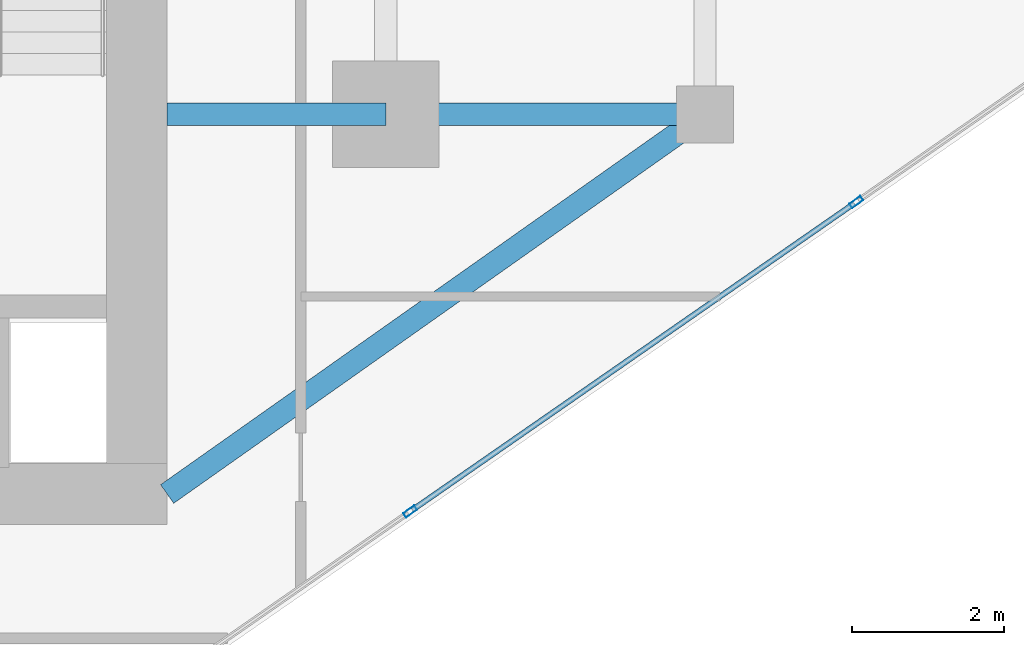
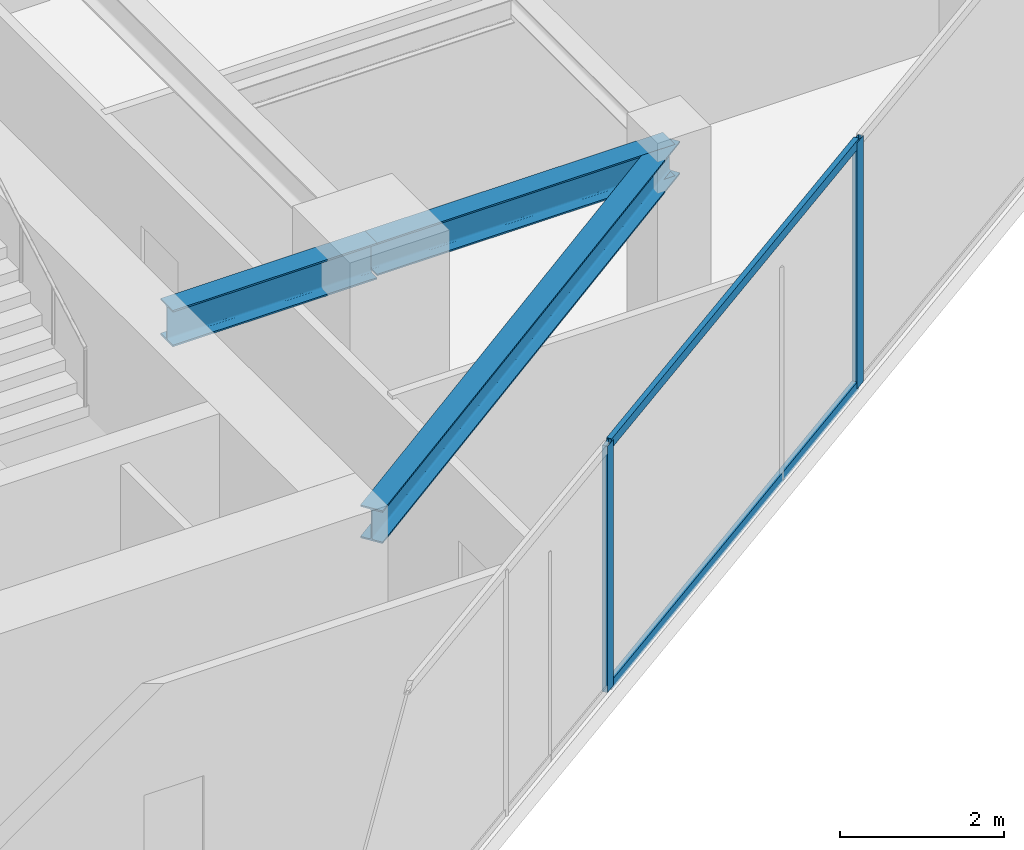
# One storey, part 8 of 21: 4 members, 3 beams, 1 element without a shape of its own.
"""IFC4 building model written with IfcOpenShell, lengths in metres."""

from ifc_helpers import new_model, si_unit, direction, frame, origin, origin_2d, place, context, subcontext, project, spatial, hollow_rectangle, i_section, extrude, source, transform, mapped, material, material_profile, profile_set, type_object, type_shapes, element, aggregate, save


model = new_model("IFC4")

# Units and contexts
model_context = context("Model", 3, precision=1e-05, world=origin(), true_north=direction((0.0, 1.0)))
body_context = subcontext(model_context, "Body", "Model", "MODEL_VIEW")
ifc_project = project(units=[si_unit("LENGTHUNIT", "METRE"), si_unit("AREAUNIT", "SQUARE_METRE"), si_unit("VOLUMEUNIT", "CUBIC_METRE"), si_unit("PLANEANGLEUNIT", "RADIAN"), si_unit("MASSUNIT", "GRAM", prefix="KILO")], contexts=[model_context])

# Site, building, storey
site_placement = place(None, origin())
site = spatial("IfcSite", under=ifc_project, at=site_placement, CompositionType="ELEMENT")
building_placement = place(site_placement, origin())
building = spatial("IfcBuilding", under=site, at=building_placement, Name="Krantzveldt Concourse Tower", CompositionType="ELEMENT")
storey_placement = place(building_placement, frame((0.0, 0.0, 275.300048828125)))
storey = spatial("IfcBuildingStorey", under=building, at=storey_placement, Name="L67", CompositionType="ELEMENT", Elevation=275.300048828125)

# Beams
ifc_material_1 = material(Name="Steel S355JR", Category="steel")
ifc_material_profile_1 = material_profile(ifc_material_1, i_section(OverallWidth=0.300048828125, OverallDepth=0.489990234375, WebThickness=0.011962890625, FlangeThickness=0.02294921875, FilletRadius=0.027099609375, at=origin_2d()), Name="Steel S355JR", Category="steel")
ifc_profile_set_1 = profile_set([ifc_material_profile_1], Name="Steel S355JR - HEA 500")
beam_type_1 = type_object("IfcBeamType", Name="BM-B-HEA500", PredefinedType="BEAM", material=ifc_profile_set_1)
shared_shape_1 = source(origin(), body_context, "Body", "SweptSolid", [
    extrude(i_section(OverallWidth=0.300048828125, OverallDepth=0.489990234375, WebThickness=0.011962890625, FlangeThickness=0.02294921875, FilletRadius=0.027099609375, at=origin_2d()), origin(), (0.0, 0.0, 1.0), 4.199951171875),
])
beam_1_placement = place(storey_placement, frame((46.800048828125, 15.89990234375, 3.425048828125), z_axis=(1.0, 0.0, 0.0), x_axis=(0.0, 1.0, 0.0)))
element("IfcBeam", 1, at=beam_1_placement, inside=storey, type_object=beam_type_1, Name="L67 Tower Girder BR-RR1", PredefinedType="BEAM", context=body_context, shape_type="MappedRepresentation", body=[
    mapped(shared_shape_1, transform((0.0, 0.0, 0.0), x_axis=(1.0, 0.0, 0.0), y_axis=(0.0, 1.0, 0.0), z_axis=(0.0, 0.0, 1.0), scale=1.0)),
])
shared_shape_2 = source(origin(), body_context, "Body", "SweptSolid", [
    extrude(i_section(OverallWidth=0.300048828125, OverallDepth=0.489990234375, WebThickness=0.011962890625, FlangeThickness=0.02294921875, FilletRadius=0.027099609375, at=origin_2d()), origin(), (0.0, 0.0, 1.0), 8.667724609375),
])
type_shapes(beam_type_1, [shared_shape_1, shared_shape_2])
beam_2_placement = place(storey_placement, frame((51.0, 15.89990234375, 3.425048828125), z_axis=(-0.81684294656, -0.576860122261, 0.0), x_axis=(0.576860122261, -0.81684294656, 0.0)))
element("IfcBeam", 2, at=beam_2_placement, inside=storey, type_object=beam_type_1, Name="L67 Tower Girder BR-CSE", PredefinedType="BEAM", context=body_context, shape_type="MappedRepresentation", body=[
    mapped(shared_shape_2, transform((0.0, 0.0, 0.0), x_axis=(1.0, 0.0, 0.0), y_axis=(0.0, 1.0, 0.0), z_axis=(0.0, 0.0, 1.0), scale=1.0)),
])
ifc_material_profile_2 = material_profile(ifc_material_1, i_section(OverallWidth=0.300048828125, OverallDepth=0.5400390625, WebThickness=0.012451171875, FlangeThickness=0.02392578125, FilletRadius=0.027099609375, at=origin_2d()), Name="Steel S355JR", Category="steel")
ifc_profile_set_2 = profile_set([ifc_material_profile_2], Name="Steel S355JR - HEA 550")
beam_type_2 = type_object("IfcBeamType", Name="BM-B-HEA550", PredefinedType="BEAM", material=ifc_profile_set_2)
shared_shape_3 = source(origin(), body_context, "Body", "SweptSolid", [
    extrude(i_section(OverallWidth=0.300048828125, OverallDepth=0.5400390625, WebThickness=0.012451171875, FlangeThickness=0.02392578125, FilletRadius=0.027099609375, at=origin_2d()), origin(), (0.0, 0.0, 1.0), 2.880126953125),
])
type_shapes(beam_type_2, [shared_shape_3])
beam_3_placement = place(storey_placement, frame((43.919921875, 15.89990234375, 3.39990234375), z_axis=(1.0, 0.0, 0.0), x_axis=(0.0, 1.0, 0.0)))
element("IfcBeam", 3, at=beam_3_placement, inside=storey, type_object=beam_type_2, Name="L67 Tower Girder BG-CE1", PredefinedType="BEAM", context=body_context, shape_type="MappedRepresentation", body=[
    mapped(shared_shape_3, transform((0.0, 0.0, 0.0), x_axis=(1.0, 0.0, 0.0), y_axis=(0.0, 1.0, 0.0), z_axis=(0.0, 0.0, 1.0), scale=1.0)),
])

# Curtain wall, members
ifc_material_2 = material(Name="Anodised aluminium 6063-T6", Category="aluminium")
curtain_wall_type = type_object("IfcCurtainWallType", Name="CW4", PredefinedType="USERDEFINED", material=ifc_material_2)
curtain_wall_placement = place(storey_placement, origin())
curtain_wall = element("IfcCurtainWall", 4, at=curtain_wall_placement, inside=storey, type_object=curtain_wall_type, Name="CW-L67-F11", ObjectType="UNITISED CURTAIN WALL", PredefinedType="USERDEFINED")
ifc_material_profile_3 = material_profile(ifc_material_2, hollow_rectangle(XDim=0.070068359375, YDim=0.179931640625, WallThickness=0.0048828125, at=origin_2d()), Name="Anodised aluminium 6063-T6", Category="aluminium")
ifc_profile_set_3 = profile_set([ifc_material_profile_3], Name="Anodised aluminium 6063-T6 - ALU-MULL 180x70x5")
member_type_1 = type_object("IfcMemberType", Name="CW-MUL-180", PredefinedType="MULLION", material=ifc_profile_set_3)
shared_shape_4 = source(origin(), body_context, "Body", "SweptSolid", [
    extrude(hollow_rectangle(XDim=0.070068359375, YDim=0.179931640625, WallThickness=0.0048828125, at=origin_2d()), origin(), (0.0, 0.0, 1.0), 3.669921875),
])
type_shapes(member_type_1, [shared_shape_4])
member_1_placement = place(storey_placement, frame((47.12060546875, 10.669677734375, 0.0), z_axis=(0.0, 0.0, 1.0), x_axis=(-0.569996627395, 0.821647031735, 0.0)))
member_1 = element("IfcMember", 5, at=member_1_placement, type_object=member_type_1, Name="CW-Z56 mullion 3", PredefinedType="MULLION", context=body_context, shape_type="MappedRepresentation", body=[
    mapped(shared_shape_4, transform((0.0, 0.0, 0.0), x_axis=(1.0, 0.0, 0.0), y_axis=(0.0, 1.0, 0.0), z_axis=(0.0, 0.0, 1.0), scale=1.0)),
])
member_2_placement = place(storey_placement, frame((52.995361328125, 14.7451171875, 0.0), z_axis=(0.0, 0.0, 1.0), x_axis=(-0.569996627395, 0.821647031735, 0.0)))
member_2 = element("IfcMember", 6, at=member_2_placement, type_object=member_type_1, Name="CW-Z56 mullion 4", PredefinedType="MULLION", context=body_context, shape_type="MappedRepresentation", body=[
    mapped(shared_shape_4, transform((0.0, 0.0, 0.0), x_axis=(1.0, 0.0, 0.0), y_axis=(0.0, 1.0, 0.0), z_axis=(0.0, 0.0, 1.0), scale=1.0)),
])
ifc_material_profile_4 = material_profile(ifc_material_2, hollow_rectangle(XDim=0.070068359375, YDim=0.139892578125, WallThickness=0.0048828125, at=origin_2d()), Name="Anodised aluminium 6063-T6", Category="aluminium")
ifc_profile_set_4 = profile_set([ifc_material_profile_4], Name="Anodised aluminium 6063-T6 - ALU-TRAN 140x70x5")
member_type_2 = type_object("IfcMemberType", Name="CW-TRN-150", PredefinedType="USERDEFINED", material=ifc_profile_set_4)
shared_shape_5 = source(origin(), body_context, "Body", "SweptSolid", [
    extrude(hollow_rectangle(XDim=0.070068359375, YDim=0.139892578125, WallThickness=0.0048828125, at=origin_2d()), origin(), (0.0, 0.0, 1.0), 7.079833984375),
])
type_shapes(member_type_2, [shared_shape_5])
member_3_placement = place(storey_placement, frame((47.1494140625, 10.689697265625, 0.034912109375), z_axis=(0.821653043491, 0.569987961383, 0.0), x_axis=(-0.569987961383, 0.821653043491, 0.0)))
member_3 = element("IfcMember", 7, at=member_3_placement, type_object=member_type_2, Name="CW-Z56 transom 3.1", ObjectType="TRANSOM", PredefinedType="USERDEFINED", context=body_context, shape_type="MappedRepresentation", body=[
    mapped(shared_shape_5, transform((0.0, 0.0, 0.0), x_axis=(1.0, 0.0, 0.0), y_axis=(0.0, 1.0, 0.0), z_axis=(0.0, 0.0, 1.0), scale=1.0)),
])
member_4_placement = place(storey_placement, frame((47.1494140625, 10.689697265625, 3.635009765625), z_axis=(0.821653043491, 0.569987961383, 0.0), x_axis=(-0.569987961383, 0.821653043491, 0.0)))
member_4 = element("IfcMember", 8, at=member_4_placement, type_object=member_type_2, Name="CW-Z56 transom 3.2", ObjectType="TRANSOM", PredefinedType="USERDEFINED", context=body_context, shape_type="MappedRepresentation", body=[
    mapped(shared_shape_5, transform((0.0, 0.0, 0.0), x_axis=(1.0, 0.0, 0.0), y_axis=(0.0, 1.0, 0.0), z_axis=(0.0, 0.0, 1.0), scale=1.0)),
])
aggregate(curtain_wall, [member_1, member_2, member_3, member_4])

save(model, "model.ifc")
